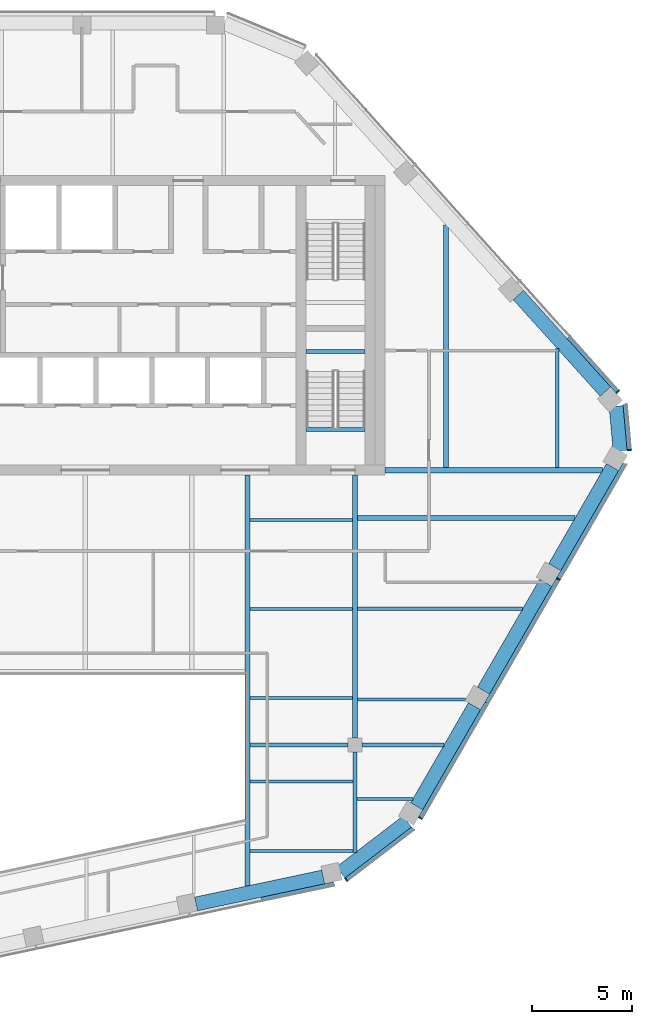
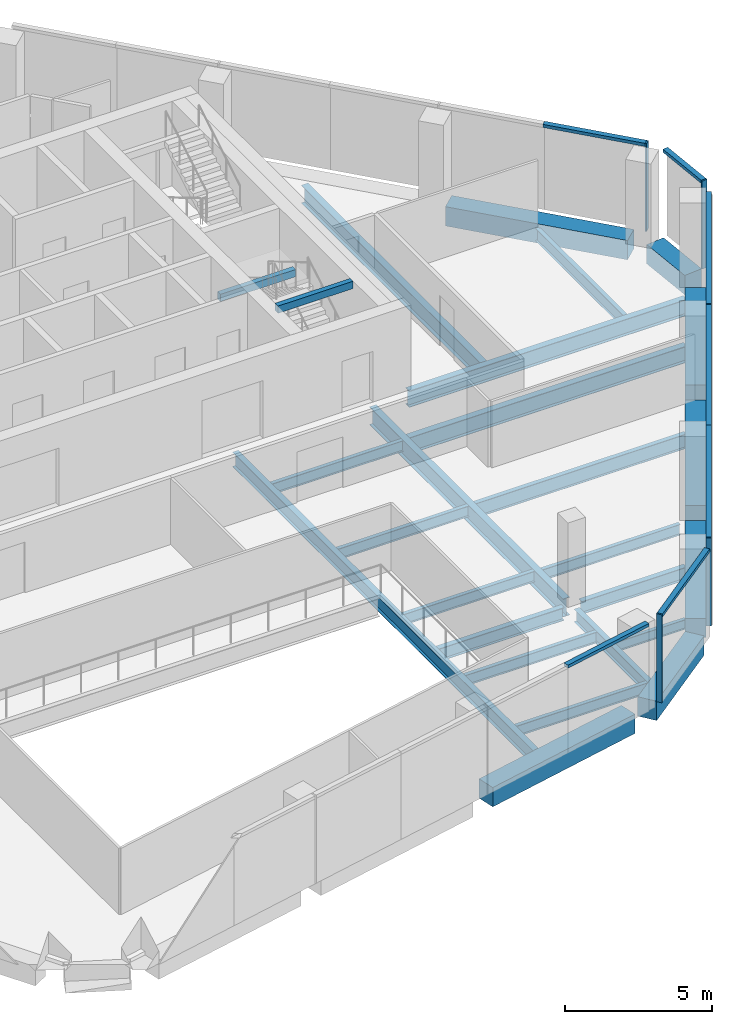
# One storey, part 4 of 15: 26 beams, 12 members, 5 elements without a shape of their own.
"""IFC4 building model written with IfcOpenShell, lengths in metres."""

from ifc_helpers import new_model, si_unit, direction, frame, origin, origin_2d, place, context, subcontext, project, spatial, rectangle, i_section, extrude, material, layer, layer_set, material_profile, profile_set, type_object, element, aggregate, save


model = new_model("IFC4")

# Units and contexts
model_context = context("Model", 3, precision=1e-05, world=origin(), true_north=direction((0.0, 1.0)))
body_context = subcontext(model_context, "Body", "Model", "MODEL_VIEW")
ifc_project = project(units=[si_unit("LENGTHUNIT", "METRE"), si_unit("AREAUNIT", "SQUARE_METRE"), si_unit("VOLUMEUNIT", "CUBIC_METRE"), si_unit("PLANEANGLEUNIT", "RADIAN"), si_unit("MASSUNIT", "GRAM", prefix="KILO")], contexts=[model_context])

# Site, building, storey
site_placement = place(None, origin())
site = spatial("IfcSite", under=ifc_project, at=site_placement, CompositionType="ELEMENT")
building_placement = place(site_placement, origin())
building = spatial("IfcBuilding", under=site, at=building_placement, Name="Isthmus Gate Tower", CompositionType="ELEMENT")
storey_placement = place(building_placement, frame((0.0, 0.0, 271.89990234375)))
storey = spatial("IfcBuildingStorey", under=building, at=storey_placement, Name="L69", CompositionType="ELEMENT", Elevation=271.89990234375)

# Curtain wall, member
ifc_material_1 = material(Name="Aluminium, pale champagne anodised", Category="aluminium")
ifc_layer = layer(ifc_material_1, 0.199951171875)
ifc_layer_set = layer_set([ifc_layer], Name="CW-1 UNITISED CURTAIN WALL 200 DEEP")
curtain_wall_type = type_object("IfcCurtainWallType", Name="CW-1 UNITISED CURTAIN WALL 200 DEEP", PredefinedType="NOTDEFINED", material=ifc_layer_set)
curtain_wall_1_placement = place(storey_placement, origin())
curtain_wall_1 = element("IfcCurtainWall", 1, at=curtain_wall_1_placement, inside=storey, type_object=curtain_wall_type, Name="CW-1 S-SE L69", PredefinedType="NOTDEFINED")
ifc_material_2 = material(Name="Aluminium, pale champagne anodised", Category="aluminium")
ifc_material_profile_1 = material_profile(ifc_material_2, rectangle(XDim=0.06005859375, YDim=0.199951171875, at=origin_2d()), Name="60x200")
ifc_profile_set_1 = profile_set([ifc_material_profile_1], Name="Aluminium, pale champagne anodised")
member_type_1 = type_object("IfcMemberType", Name="CW-1 MULLION 60 X 200", PredefinedType="MULLION", material=ifc_profile_set_1)
member_1_placement = place(storey_placement, frame((13.055908203125, -20.241455078125, 0.0), z_axis=(0.0, 0.0, 1.0), x_axis=(0.794188594387, 0.607671355706, 0.0)))
member_1 = element("IfcMember", 2, at=member_1_placement, type_object=member_type_1, Name="CW-1 mullion", PredefinedType="MULLION", context=body_context, shape_type="SweptSolid", body=[
    extrude(rectangle(XDim=0.06005859375, YDim=0.199951171875, at=origin_2d()), origin(), (0.0, 0.0, 1.0), 3.650146484375),
])

# Curtain wall, members
curtain_wall_2_placement = place(storey_placement, origin())
curtain_wall_2 = element("IfcCurtainWall", 3, at=curtain_wall_2_placement, inside=storey, type_object=curtain_wall_type, Name="CW-1 SE L69", PredefinedType="NOTDEFINED")
member_2_placement = place(storey_placement, frame((16.765380859375, -17.161376953125, 0.0), z_axis=(0.0, 0.0, 1.0), x_axis=(0.5, 0.866025403784, 0.0)))
member_2 = element("IfcMember", 4, at=member_2_placement, type_object=member_type_1, Name="CW-1 mullion", PredefinedType="MULLION", context=body_context, shape_type="SweptSolid", body=[
    extrude(rectangle(XDim=0.06005859375, YDim=0.199951171875, at=origin_2d()), origin(), (0.0, 0.0, 1.0), 3.650146484375),
])
member_3_placement = place(storey_placement, frame((23.675048828125, -5.193603515625, 0.0), z_axis=(0.0, 0.0, 1.0), x_axis=(0.5, 0.866025403784, 0.0)))
member_3 = element("IfcMember", 5, at=member_3_placement, type_object=member_type_1, Name="CW-1 mullion", PredefinedType="MULLION", context=body_context, shape_type="SweptSolid", body=[
    extrude(rectangle(XDim=0.06005859375, YDim=0.199951171875, at=origin_2d()), origin(), (0.0, 0.0, 1.0), 3.650146484375),
])

# Curtain wall, member
curtain_wall_3_placement = place(storey_placement, origin())
curtain_wall_3 = element("IfcCurtainWall", 6, at=curtain_wall_3_placement, inside=storey, type_object=curtain_wall_type, Name="CW-1 SE-NE L69", PredefinedType="NOTDEFINED")
member_4_placement = place(storey_placement, frame((27.21875, 1.258056640625, 0.0), z_axis=(0.0, 0.0, 1.0), x_axis=(-0.089396669717, 0.995996102123, 0.0)))
member_4 = element("IfcMember", 7, at=member_4_placement, type_object=member_type_1, Name="CW-1 mullion", PredefinedType="MULLION", context=body_context, shape_type="SweptSolid", body=[
    extrude(rectangle(XDim=0.06005859375, YDim=0.199951171875, at=origin_2d()), origin(), (0.0, 0.0, 1.0), 3.650146484375),
])

curtain_wall_4_placement = place(storey_placement, origin())
curtain_wall_4 = element("IfcCurtainWall", 8, at=curtain_wall_4_placement, inside=storey, type_object=curtain_wall_type, Name="CW-1 NE L69", PredefinedType="NOTDEFINED")
member_5_placement = place(storey_placement, frame((26.6474609375, 4.17626953125, 0.0), z_axis=(0.0, 0.0, 1.0), x_axis=(-0.669130606359, 0.743144825477, 0.0)))
member_5 = element("IfcMember", 9, at=member_5_placement, type_object=member_type_1, Name="CW-1 mullion", PredefinedType="MULLION", context=body_context, shape_type="SweptSolid", body=[
    extrude(rectangle(XDim=0.06005859375, YDim=0.199951171875, at=origin_2d()), origin(), (0.0, 0.0, 1.0), 3.650146484375),
])

curtain_wall_5_placement = place(storey_placement, origin())
curtain_wall_5 = element("IfcCurtainWall", 10, at=curtain_wall_5_placement, inside=storey, type_object=curtain_wall_type, Name="CW-1 S L69", PredefinedType="NOTDEFINED")
ifc_material_3 = material(Name="Aluminium, pale champagne anodised", Category="aluminium")
ifc_material_profile_2 = material_profile(ifc_material_3, rectangle(XDim=0.199951171875, YDim=0.1298828125, at=origin_2d()), Name="200x130")
ifc_profile_set_2 = profile_set([ifc_material_profile_2], Name="Aluminium, pale champagne anodised")
member_type_2 = type_object("IfcMemberType", Name="CW-1 TRANSOM 200 X 130", PredefinedType="USERDEFINED", material=ifc_profile_set_2)
member_6_placement = place(storey_placement, frame((8.816162109375, -21.228271484375, 3.585205078125), z_axis=(0.978146451283, 0.207917098487, 0.0), x_axis=(-0.207917098487, 0.978146451283, 0.0)))
member_6 = element("IfcMember", 11, at=member_6_placement, type_object=member_type_2, Name="CW-1 transom", ObjectType="TRANSOM", PredefinedType="USERDEFINED", context=body_context, shape_type="SweptSolid", body=[
    extrude(rectangle(XDim=0.199951171875, YDim=0.1298828125, at=origin_2d()), origin(), (0.0, 0.0, 1.0), 3.70361328125),
])
aggregate(curtain_wall_5, [member_6])

# Member
member_7_placement = place(storey_placement, frame((13.07958984375, -20.22314453125, 3.585205078125), z_axis=(0.794225234414, 0.607623466482, 0.0), x_axis=(-0.607623466482, 0.794225234414, 0.0)))
member_7 = element("IfcMember", 12, at=member_7_placement, type_object=member_type_2, Name="CW-1 transom", ObjectType="TRANSOM", PredefinedType="USERDEFINED", context=body_context, shape_type="SweptSolid", body=[
    extrude(rectangle(XDim=0.199951171875, YDim=0.1298828125, at=origin_2d()), origin(), (0.0, 0.0, 1.0), 4.181396484375),
])

aggregate(curtain_wall_1, [member_1, member_7])

member_8_placement = place(storey_placement, frame((16.780517578125, -17.135498046875, 3.585205078125), z_axis=(0.49999574405, 0.866027860944, 0.0), x_axis=(-0.866027860944, 0.49999574405, 0.0)))
member_8 = element("IfcMember", 13, at=member_8_placement, type_object=member_type_2, Name="CW-1 transom", ObjectType="TRANSOM", PredefinedType="USERDEFINED", context=body_context, shape_type="SweptSolid", body=[
    extrude(rectangle(XDim=0.199951171875, YDim=0.1298828125, at=origin_2d()), origin(), (0.0, 0.0, 1.0), 6.62451171875),
])

member_9_placement = place(storey_placement, frame((20.0927734375, -11.3984375, 3.585205078125), z_axis=(0.499985098601, 0.86603400694, 0.0), x_axis=(-0.86603400694, 0.499985098601, 0.0)))
member_9 = element("IfcMember", 14, at=member_9_placement, type_object=member_type_2, Name="CW-1 transom", ObjectType="TRANSOM", PredefinedType="USERDEFINED", context=body_context, shape_type="SweptSolid", body=[
    extrude(rectangle(XDim=0.199951171875, YDim=0.1298828125, at=origin_2d()), origin(), (0.0, 0.0, 1.0), 7.134521484375),
])

member_10_placement = place(storey_placement, frame((23.68994140625, -5.167724609375, 3.585205078125), z_axis=(0.49999574405, 0.866027860944, 0.0), x_axis=(-0.866027860944, 0.49999574405, 0.0)))
member_10 = element("IfcMember", 15, at=member_10_placement, type_object=member_type_2, Name="CW-1 transom", ObjectType="TRANSOM", PredefinedType="USERDEFINED", context=body_context, shape_type="SweptSolid", body=[
    extrude(rectangle(XDim=0.199951171875, YDim=0.1298828125, at=origin_2d()), origin(), (0.0, 0.0, 1.0), 6.62451171875),
])

aggregate(curtain_wall_2, [member_2, member_8, member_9, member_3, member_10])

member_11_placement = place(storey_placement, frame((27.216064453125, 1.287841796875, 3.585205078125), z_axis=(-0.089395362867, 0.995996219419, 0.0), x_axis=(-0.995996219419, -0.089395362867, 0.0)))
member_11 = element("IfcMember", 16, at=member_11_placement, type_object=member_type_2, Name="CW-1 transom", ObjectType="TRANSOM", PredefinedType="USERDEFINED", context=body_context, shape_type="SweptSolid", body=[
    extrude(rectangle(XDim=0.199951171875, YDim=0.1298828125, at=origin_2d()), origin(), (0.0, 0.0, 1.0), 2.258544921875),
])

aggregate(curtain_wall_3, [member_4, member_11])

member_12_placement = place(storey_placement, frame((26.62744140625, 4.198486328125, 3.585205078125), z_axis=(-0.669149818044, 0.743127526749, 0.0), x_axis=(-0.743127526749, -0.669149818044, 0.0)))
member_12 = element("IfcMember", 17, at=member_12_placement, type_object=member_type_2, Name="CW-1 transom", ObjectType="TRANSOM", PredefinedType="USERDEFINED", context=body_context, shape_type="SweptSolid", body=[
    extrude(rectangle(XDim=0.199951171875, YDim=0.1298828125, at=origin_2d()), origin(), (0.0, 0.0, 1.0), 3.643310546875),
])

aggregate(curtain_wall_4, [member_5, member_12])

# Beams
ifc_material_4 = material(Name="Concrete f'c 50 MPa", Category="concrete")
ifc_material_profile_3 = material_profile(ifc_material_4, rectangle(XDim=0.699951171875, YDim=0.800048828125, at=origin_2d()), Name="RC 700X800")
ifc_profile_set_3 = profile_set([ifc_material_profile_3], Name="Concrete f'c 50 MPa")
beam_type_1 = type_object("IfcBeamType", Name="RC SPANDREL 700 X 800", PredefinedType="SPANDREL", material=ifc_profile_set_3)
beam_1_placement = place(storey_placement, frame((21.67822265625, 9.022705078125, -0.39990234375), z_axis=(0.669122265754, -0.743152335307, 0.0), x_axis=(0.743152335307, 0.669122265754, 0.0)))
element("IfcBeam", 18, at=beam_1_placement, inside=storey, type_object=beam_type_1, Name="str-spandrel-L69-03", PredefinedType="SPANDREL", context=body_context, shape_type="SweptSolid", body=[
    extrude(rectangle(XDim=0.699951171875, YDim=0.800048828125, at=origin_2d()), origin(), (0.0, 0.0, 1.0), 6.506591796875),
])
beam_2_placement = place(storey_placement, frame((26.5693359375, 3.459716796875, -0.39990234375), z_axis=(0.089359478208, -0.995999439585, 0.0), x_axis=(0.995999439585, 0.089359478208, 0.0)))
element("IfcBeam", 19, at=beam_2_placement, inside=storey, type_object=beam_type_1, Name="str-spandrel-L69-04", PredefinedType="SPANDREL", context=body_context, shape_type="SweptSolid", body=[
    extrude(rectangle(XDim=0.699951171875, YDim=0.800048828125, at=origin_2d()), origin(), (0.0, 0.0, 1.0), 2.245849609375),
])
beam_3_placement = place(storey_placement, frame((26.387451171875, 0.404541015625, -0.39990234375), z_axis=(-0.499979418648, -0.866037286108, 0.0), x_axis=(0.866037286108, -0.499979418648, 0.0)))
element("IfcBeam", 20, at=beam_3_placement, inside=storey, type_object=beam_type_1, Name="str-spandrel-L69-05", PredefinedType="SPANDREL", context=body_context, shape_type="SweptSolid", body=[
    extrude(rectangle(XDim=0.699951171875, YDim=0.800048828125, at=origin_2d()), origin(), (0.0, 0.0, 1.0), 5.784423828125),
])
beam_4_placement = place(storey_placement, frame((23.045166015625, -5.384521484375, -0.39990234375), z_axis=(-0.499997027648, -0.866027119866, 0.0), x_axis=(0.866027119866, -0.499997027648, 0.0)))
element("IfcBeam", 21, at=beam_4_placement, inside=storey, type_object=beam_type_1, Name="str-spandrel-L69-06", PredefinedType="SPANDREL", context=body_context, shape_type="SweptSolid", body=[
    extrude(rectangle(XDim=0.699951171875, YDim=0.800048828125, at=origin_2d()), origin(), (0.0, 0.0, 1.0), 6.234375),
])
beam_5_placement = place(storey_placement, frame((19.47802734375, -11.56298828125, -0.39990234375), z_axis=(-0.499992798144, -0.866029561738, 0.0), x_axis=(0.866029561738, -0.499992798144, 0.0)))
element("IfcBeam", 22, at=beam_5_placement, inside=storey, type_object=beam_type_1, Name="str-spandrel-L69-07", PredefinedType="SPANDREL", context=body_context, shape_type="SweptSolid", body=[
    extrude(rectangle(XDim=0.699951171875, YDim=0.800048828125, at=origin_2d()), origin(), (0.0, 0.0, 1.0), 5.78466796875),
])
beam_6_placement = place(storey_placement, frame((16.110595703125, -17.337646484375, -0.39990234375), z_axis=(-0.794204252251, -0.607650891307, 0.0), x_axis=(0.607650891307, -0.794204252251, 0.0)))
element("IfcBeam", 23, at=beam_6_placement, inside=storey, type_object=beam_type_1, Name="str-spandrel-L69-08", PredefinedType="SPANDREL", context=body_context, shape_type="SweptSolid", body=[
    extrude(rectangle(XDim=0.699951171875, YDim=0.800048828125, at=origin_2d()), origin(), (0.0, 0.0, 1.0), 4.197021484375),
])
beam_7_placement = place(storey_placement, frame((11.90478515625, -20.11181640625, -0.39990234375), z_axis=(-0.978148646173, -0.207906772352, 0.0), x_axis=(0.207906772352, -0.978148646173, 0.0)))
element("IfcBeam", 24, at=beam_7_placement, inside=storey, type_object=beam_type_1, Name="str-spandrel-L69-09", PredefinedType="SPANDREL", context=body_context, shape_type="SweptSolid", body=[
    extrude(rectangle(XDim=0.699951171875, YDim=0.800048828125, at=origin_2d()), origin(), (0.0, 0.0, 1.0), 6.506591796875),
])
ifc_material_5 = material(Name="Concrete f'c 40 MPa", Category="concrete")
ifc_material_profile_4 = material_profile(ifc_material_5, rectangle(XDim=0.199951171875, YDim=0.300048828125, at=origin_2d()), Name="STAIR LANDING BEAM RC 200 X 300")
ifc_profile_set_4 = profile_set([ifc_material_profile_4], Name="Concrete f'c 40 MPa")
beam_type_2 = type_object("IfcBeamType", Name="STAIR LANDING BEAM RC 200 X 300", PredefinedType="BEAM", material=ifc_profile_set_4)
for number, where, z_axis, x_axis, name in (
    (25, (11.050048828125, 6.199951171875, 1.47509765625), (1.0, 0.0, 0.0), (0.0, 1.0, 0.0), "L69 ST8 landing beam 1"),
    (26, (11.050048828125, 2.2998046875, 3.35009765625), (1.0, 0.0, 0.0), (0.0, 1.0, 0.0), "L69 ST8 floor-edge seat beam"),
):
    element("IfcBeam", number, at=place(storey_placement, frame(where, z_axis=z_axis, x_axis=x_axis)), inside=storey, type_object=beam_type_2, Name=name, PredefinedType="BEAM", context=body_context, shape_type="SweptSolid", body=[
        extrude(rectangle(XDim=0.199951171875, YDim=0.300048828125, at=origin_2d()), origin(), (0.0, 0.0, 1.0), 2.949951171875),
    ])
ifc_material_6 = material(Name="Structural steel ASTM A992 Gr 50", Category="steel")
ifc_material_profile_5 = material_profile(ifc_material_6, i_section(OverallWidth=0.1396484375, OverallDepth=0.4033203125, WebThickness=0.00634765625, FlangeThickness=0.010986328125, at=origin_2d()), Name="W16X31")
ifc_profile_set_5 = profile_set([ifc_material_profile_5], Name="Structural steel ASTM A992 Gr 50")
beam_type_3 = type_object("IfcBeamType", Name="STEEL FLOOR BEAM W16X31", PredefinedType="JOIST", material=ifc_profile_set_5)
beam_8_placement = place(storey_placement, frame((13.604736328125, -16.20947265625, -0.3515625), z_axis=(1.0, 0.0, 0.0), x_axis=(0.0, 1.0, 0.0)))
element("IfcBeam", 27, at=beam_8_placement, inside=storey, type_object=beam_type_3, Name="str-beam-L69-11-00", PredefinedType="JOIST", context=body_context, shape_type="SweptSolid", body=[
    extrude(i_section(OverallWidth=0.1396484375, OverallDepth=0.4033203125, WebThickness=0.00634765625, FlangeThickness=0.010986328125, at=origin_2d()), origin(), (0.0, 0.0, 1.0), 2.78662109375),
])
ifc_material_7 = material(Name="Structural steel ASTM A992 Gr 50", Category="steel")
ifc_material_profile_6 = material_profile(ifc_material_7, i_section(OverallWidth=0.15234375, OverallDepth=0.45068359375, WebThickness=0.0078125, FlangeThickness=0.010986328125, at=origin_2d()), Name="W18X35")
ifc_profile_set_6 = profile_set([ifc_material_profile_6], Name="Structural steel ASTM A992 Gr 50")
beam_type_4 = type_object("IfcBeamType", Name="STEEL FLOOR BEAM W18X35", PredefinedType="JOIST", material=ifc_profile_set_6)
for number, where, z_axis, x_axis, name in (
    (28, (8.228515625, -18.802734375, -0.375244140625), (1.0, 0.0, 0.0), (0.0, 1.0, 0.0), "str-beam-L69-09-00"),
    (29, (8.228515625, -15.33740234375, -0.375244140625), (1.0, 0.0, 0.0), (0.0, 1.0, 0.0), "str-beam-L69-09-01"),
):
    element("IfcBeam", number, at=place(storey_placement, frame(where, z_axis=z_axis, x_axis=x_axis)), inside=storey, type_object=beam_type_4, Name=name, PredefinedType="JOIST", context=body_context, shape_type="SweptSolid", body=[
        extrude(i_section(OverallWidth=0.15234375, OverallDepth=0.45068359375, WebThickness=0.0078125, FlangeThickness=0.010986328125, at=origin_2d()), origin(), (0.0, 0.0, 1.0), 5.166748046875),
    ])
for number, where, z_axis, x_axis, name in (
    (30, (8.228515625, -11.16259765625, -0.375244140625), (1.0, 0.0, 0.0), (0.0, 1.0, 0.0), "str-beam-L69-10-00"),
    (31, (8.228515625, -6.697509765625, -0.375244140625), (1.0, 0.0, 0.0), (0.0, 1.0, 0.0), "str-beam-L69-10-01"),
    (32, (8.228515625, -2.232421875, -0.375244140625), (1.0, 0.0, 0.0), (0.0, 1.0, 0.0), "str-beam-L69-10-02"),
):
    element("IfcBeam", number, at=place(storey_placement, frame(where, z_axis=z_axis, x_axis=x_axis)), inside=storey, type_object=beam_type_4, Name=name, PredefinedType="JOIST", context=body_context, shape_type="SweptSolid", body=[
        extrude(i_section(OverallWidth=0.15234375, OverallDepth=0.45068359375, WebThickness=0.0078125, FlangeThickness=0.010986328125, at=origin_2d()), origin(), (0.0, 0.0, 1.0), 5.1396484375),
    ])
beam_9_placement = place(storey_placement, frame((13.6318359375, -11.2294921875, -0.375244140625), z_axis=(1.0, 0.0, 0.0), x_axis=(0.0, 1.0, 0.0)))
element("IfcBeam", 33, at=beam_9_placement, inside=storey, type_object=beam_type_4, Name="str-beam-L69-12-00", PredefinedType="JOIST", context=body_context, shape_type="SweptSolid", body=[
    extrude(i_section(OverallWidth=0.15234375, OverallDepth=0.45068359375, WebThickness=0.0078125, FlangeThickness=0.010986328125, at=origin_2d()), origin(), (0.0, 0.0, 1.0), 5.40380859375),
])
ifc_material_8 = material(Name="Structural steel ASTM A992 Gr 50", Category="steel")
ifc_material_profile_7 = material_profile(ifc_material_8, i_section(OverallWidth=0.1650390625, OverallDepth=0.52392578125, WebThickness=0.009521484375, FlangeThickness=0.010986328125, at=origin_2d()), Name="W21X44")
ifc_profile_set_7 = profile_set([ifc_material_profile_7], Name="Structural steel ASTM A992 Gr 50")
beam_type_5 = type_object("IfcBeamType", Name="STEEL FLOOR BEAM W21X44", PredefinedType="JOIST", material=ifc_profile_set_7)
beam_10_placement = place(storey_placement, frame((23.61865234375, 0.376953125, -0.411865234375), z_axis=(0.0, 1.0, 0.0), x_axis=(-1.0, 0.0, 0.0)))
element("IfcBeam", 34, at=beam_10_placement, inside=storey, type_object=beam_type_5, Name="str-beam-L69-07-07", PredefinedType="JOIST", context=body_context, shape_type="SweptSolid", body=[
    extrude(i_section(OverallWidth=0.1650390625, OverallDepth=0.52392578125, WebThickness=0.009521484375, FlangeThickness=0.010986328125, at=origin_2d()), origin(), (0.0, 0.0, 1.0), 5.967529296875),
])
ifc_material_9 = material(Name="Structural steel ASTM A992 Gr 50", Category="steel")
ifc_material_profile_8 = material_profile(ifc_material_9, i_section(OverallWidth=0.177734375, OverallDepth=0.60009765625, WebThickness=0.009521484375, FlangeThickness=0.0126953125, at=origin_2d()), Name="W24X55")
ifc_profile_set_8 = profile_set([ifc_material_profile_8], Name="Structural steel ASTM A992 Gr 50")
beam_type_6 = type_object("IfcBeamType", Name="STEEL FLOOR BEAM W24X55", PredefinedType="JOIST", material=ifc_profile_set_8)
beam_11_placement = place(storey_placement, frame((13.6318359375, -6.6884765625, -0.449951171875), z_axis=(1.0, 0.0, 0.0), x_axis=(0.0, 1.0, 0.0)))
element("IfcBeam", 35, at=beam_11_placement, inside=storey, type_object=beam_type_6, Name="str-beam-L69-12-01", PredefinedType="JOIST", context=body_context, shape_type="SweptSolid", body=[
    extrude(i_section(OverallWidth=0.177734375, OverallDepth=0.60009765625, WebThickness=0.009521484375, FlangeThickness=0.0126953125, at=origin_2d()), origin(), (0.0, 0.0, 1.0), 8.25634765625),
])
ifc_material_10 = material(Name="Structural steel ASTM A992 Gr 50", Category="steel")
ifc_material_profile_9 = material_profile(ifc_material_10, i_section(OverallWidth=0.25390625, OverallDepth=0.679443359375, WebThickness=0.010986328125, FlangeThickness=0.015869140625, at=origin_2d()), Name="W27X84")
ifc_profile_set_9 = profile_set([ifc_material_profile_9], Name="Structural steel ASTM A992 Gr 50")
beam_type_7 = type_object("IfcBeamType", Name="STEEL FLOOR BEAM W27X84", PredefinedType="JOIST", material=ifc_profile_set_9)
beam_12_placement = place(storey_placement, frame((13.6318359375, -2.1474609375, -0.489501953125), z_axis=(1.0, 0.0, 0.0), x_axis=(0.0, 1.0, 0.0)))
element("IfcBeam", 36, at=beam_12_placement, inside=storey, type_object=beam_type_7, Name="str-beam-L69-12-02", PredefinedType="JOIST", context=body_context, shape_type="SweptSolid", body=[
    extrude(i_section(OverallWidth=0.25390625, OverallDepth=0.679443359375, WebThickness=0.010986328125, FlangeThickness=0.015869140625, at=origin_2d()), origin(), (0.0, 0.0, 1.0), 10.878173828125),
])
ifc_material_11 = material(Name="Structural steel ASTM A992 Gr 50", Category="steel")
ifc_material_profile_10 = material_profile(ifc_material_11, i_section(OverallWidth=0.263427734375, OverallDepth=0.749267578125, WebThickness=0.0126953125, FlangeThickness=0.015869140625, at=origin_2d()), Name="W30X90")
ifc_profile_set_10 = profile_set([ifc_material_profile_10], Name="Structural steel ASTM A992 Gr 50")
beam_type_8 = type_object("IfcBeamType", Name="STEEL FLOOR BEAM W30X90", PredefinedType="JOIST", material=ifc_profile_set_10)
beam_13_placement = place(storey_placement, frame((18.05712890625, 0.376953125, -0.524658203125), z_axis=(0.0, 1.0, 0.0), x_axis=(-1.0, 0.0, 0.0)))
element("IfcBeam", 37, at=beam_13_placement, inside=storey, type_object=beam_type_8, Name="str-beam-L69-07-06", PredefinedType="JOIST", context=body_context, shape_type="SweptSolid", body=[
    extrude(i_section(OverallWidth=0.263427734375, OverallDepth=0.749267578125, WebThickness=0.0126953125, FlangeThickness=0.015869140625, at=origin_2d()), origin(), (0.0, 0.0, 1.0), 12.144287109375),
])
ifc_material_12 = material(Name="Structural steel ASTM A992 Gr 50", Category="steel")
ifc_material_profile_11 = material_profile(ifc_material_12, i_section(OverallWidth=0.20947265625, OverallDepth=0.533447265625, WebThickness=0.009521484375, FlangeThickness=0.015869140625, at=origin_2d()), Name="W21X62")
ifc_profile_set_11 = profile_set([ifc_material_profile_11], Name="Structural steel ASTM A992 Gr 50")
beam_type_9 = type_object("IfcBeamType", Name="STEEL GIRDER W21X62", PredefinedType="BEAM", material=ifc_profile_set_11)
beam_14_placement = place(storey_placement, frame((8.228515625, -13.5, -0.41650390625), z_axis=(1.0, 0.0, 0.0), x_axis=(0.0, 1.0, 0.0)))
element("IfcBeam", 38, at=beam_14_placement, inside=storey, type_object=beam_type_9, Name="str-girder-L69-03", PredefinedType="BEAM", context=body_context, shape_type="SweptSolid", body=[
    extrude(i_section(OverallWidth=0.20947265625, OverallDepth=0.533447265625, WebThickness=0.009521484375, FlangeThickness=0.015869140625, at=origin_2d()), origin(), (0.0, 0.0, 1.0), 4.92138671875),
])
beam_15_placement = place(storey_placement, frame((13.85009765625, -13.5, -0.41650390625), z_axis=(1.0, 0.0, 0.0), x_axis=(0.0, 1.0, 0.0)))
element("IfcBeam", 39, at=beam_15_placement, inside=storey, type_object=beam_type_9, Name="str-girder-L69-04", PredefinedType="BEAM", context=body_context, shape_type="SweptSolid", body=[
    extrude(i_section(OverallWidth=0.20947265625, OverallDepth=0.533447265625, WebThickness=0.009521484375, FlangeThickness=0.015869140625, at=origin_2d()), origin(), (0.0, 0.0, 1.0), 4.10546875),
])
beam_16_placement = place(storey_placement, frame((13.5, -18.894287109375, -0.41650390625), z_axis=(0.0, 1.0, 0.0), x_axis=(-1.0, 0.0, 0.0)))
element("IfcBeam", 40, at=beam_16_placement, inside=storey, type_object=beam_type_9, Name="str-girder-L69-07", PredefinedType="BEAM", context=body_context, shape_type="SweptSolid", body=[
    extrude(i_section(OverallWidth=0.20947265625, OverallDepth=0.533447265625, WebThickness=0.009521484375, FlangeThickness=0.015869140625, at=origin_2d()), origin(), (0.0, 0.0, 1.0), 5.044189453125),
])
ifc_material_13 = material(Name="Structural steel ASTM A992 Gr 50", Category="steel")
ifc_material_profile_12 = material_profile(ifc_material_13, i_section(OverallWidth=0.25390625, OverallDepth=0.679443359375, WebThickness=0.010986328125, FlangeThickness=0.015869140625, at=origin_2d()), Name="W27X84")
ifc_profile_set_12 = profile_set([ifc_material_profile_12], Name="Structural steel ASTM A992 Gr 50")
beam_type_10 = type_object("IfcBeamType", Name="STEEL GIRDER W27X84", PredefinedType="BEAM", material=ifc_profile_set_12)
beam_17_placement = place(storey_placement, frame((15.0, 0.25, -0.489501953125), z_axis=(1.0, 0.0, 0.0), x_axis=(0.0, 1.0, 0.0)))
element("IfcBeam", 41, at=beam_17_placement, inside=storey, type_object=beam_type_10, Name="str-girder-L69-10", PredefinedType="BEAM", context=body_context, shape_type="SweptSolid", body=[
    extrude(i_section(OverallWidth=0.25390625, OverallDepth=0.679443359375, WebThickness=0.010986328125, FlangeThickness=0.015869140625, at=origin_2d()), origin(), (0.0, 0.0, 1.0), 10.89404296875),
])
ifc_material_14 = material(Name="Structural steel ASTM A992 Gr 50", Category="steel")
ifc_material_profile_13 = material_profile(ifc_material_14, i_section(OverallWidth=0.263427734375, OverallDepth=0.749267578125, WebThickness=0.0126953125, FlangeThickness=0.015869140625, at=origin_2d()), Name="W30X90")
ifc_profile_set_13 = profile_set([ifc_material_profile_13], Name="Structural steel ASTM A992 Gr 50")
beam_type_11 = type_object("IfcBeamType", Name="STEEL GIRDER W30X90", PredefinedType="BEAM", material=ifc_profile_set_13)
beam_18_placement = place(storey_placement, frame((13.5, -13.14990234375, -0.524658203125), z_axis=(0.0, 1.0, 0.0), x_axis=(-1.0, 0.0, 0.0)))
element("IfcBeam", 42, at=beam_18_placement, inside=storey, type_object=beam_type_11, Name="str-girder-L69-08", PredefinedType="BEAM", context=body_context, shape_type="SweptSolid", body=[
    extrude(i_section(OverallWidth=0.263427734375, OverallDepth=0.749267578125, WebThickness=0.0126953125, FlangeThickness=0.015869140625, at=origin_2d()), origin(), (0.0, 0.0, 1.0), 13.14990234375),
])
ifc_material_15 = material(Name="Structural steel ASTM A992 Gr 50", Category="steel")
ifc_material_profile_14 = material_profile(ifc_material_15, i_section(OverallWidth=0.228515625, OverallDepth=0.603271484375, WebThickness=0.010986328125, FlangeThickness=0.014404296875, at=origin_2d()), Name="W24X68")
ifc_profile_set_14 = profile_set([ifc_material_profile_14], Name="Structural steel ASTM A992 Gr 50")
beam_type_12 = type_object("IfcBeamType", Name="STEEL TRIMMER W24X68", PredefinedType="BEAM", material=ifc_profile_set_14)
beam_19_placement = place(storey_placement, frame((8.1142578125, -20.5595703125, -0.451416015625), z_axis=(0.0, 1.0, 0.0), x_axis=(-1.0, 0.0, 0.0)))
element("IfcBeam", 43, at=beam_19_placement, inside=storey, type_object=beam_type_12, Name="str-trimmer-L69-01", PredefinedType="BEAM", context=body_context, shape_type="SweptSolid", body=[
    extrude(i_section(OverallWidth=0.228515625, OverallDepth=0.603271484375, WebThickness=0.010986328125, FlangeThickness=0.014404296875, at=origin_2d()), origin(), (0.0, 0.0, 1.0), 20.5595703125),
])

save(model, "model.ifc")
